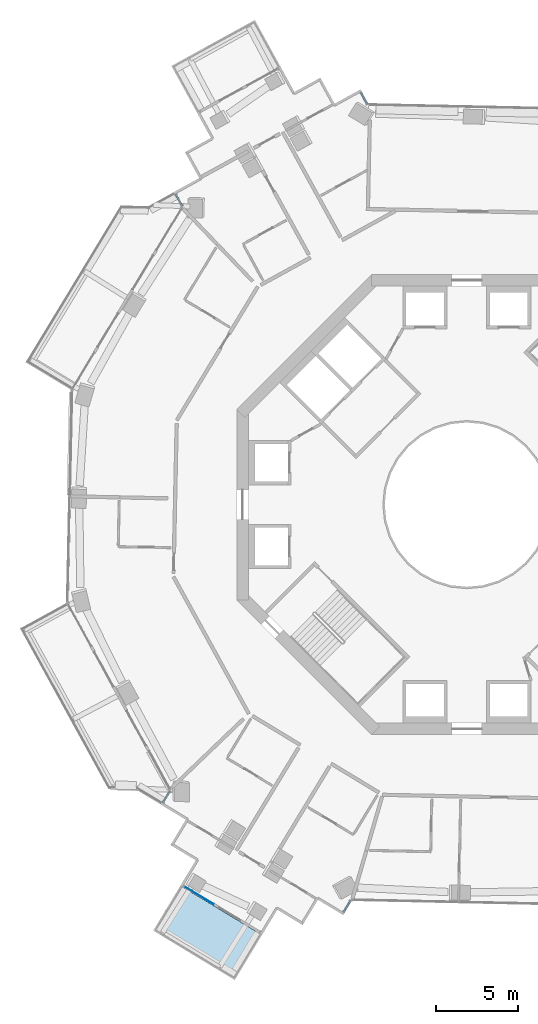
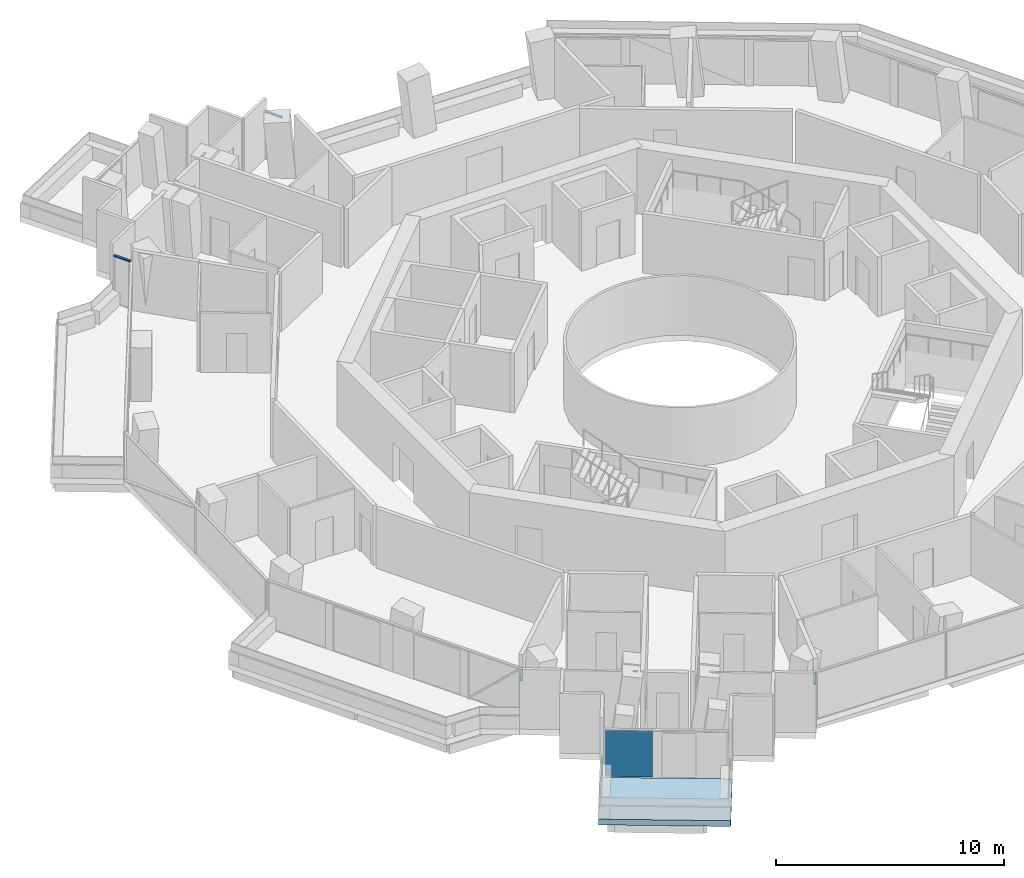
# One storey, part 10 of 22: 4 members, 1 plate, 1 slab, 5 elements without a shape of their own.
"""IFC4 building model written with IfcOpenShell, lengths in metres."""

import ifcopenshell
import ifcopenshell.guid

model = None  # the IFC model being written
_history = None  # IfcOwnerHistory: only IFC2X3 demands one
_inside = {}  # id of a spatial element -> (the spatial element, [elements in it])
_under = {}  # id of a project, library or spatial element -> (it, [spatial elements below it])
_declared = {}  # id of a project -> (the project, [libraries it declares])
_typed = {}  # id of a type object -> (the type object, [elements of that type])
_made_of = {}  # id of a material, layer set ... -> (it, [elements and type objects made of it])


def new_model(schema):
    """Start an empty IFC model of exactly this schema.

    Asked for "IFC4X3", IfcOpenShell would pick the latest addendum, in which some entities
    have other attributes; the version numbers below select the first issue.
    IFC2X3 requires an IfcOwnerHistory on every rooted entity: one is made here for all.
    """
    global model, _history
    if schema == "IFC4X3":
        model = ifcopenshell.file(schema_version=(4, 3, 0, 0))
    else:
        model = ifcopenshell.file(schema=schema)
    _inside.clear()
    _under.clear()
    _declared.clear()
    _typed.clear()
    _made_of.clear()
    _history = None
    if model.schema == "IFC2X3":
        org = make("IfcOrganization", Name="unknown")
        user = make(
            "IfcPersonAndOrganization",
            ThePerson=make("IfcPerson", FamilyName="unknown"),
            TheOrganization=org,
        )
        app = make(
            "IfcApplication",
            ApplicationDeveloper=org,
            Version="unknown",
            ApplicationFullName="unknown",
            ApplicationIdentifier="unknown",
        )
        _history = make(
            "IfcOwnerHistory",
            OwningUser=user,
            OwningApplication=app,
            ChangeAction="ADDED",
            CreationDate=0,
        )
    return model


def make(cls, **values):
    """One entity of the class cls with the attributes given. An attribute that is None is left unset."""
    return model.create_entity(
        cls, **{name: value for name, value in values.items() if value is not None}
    )


def rooted(cls, **values):
    """An entity with a GlobalId (a new one), such as an element, a storey or a relation."""
    return make(cls, GlobalId=ifcopenshell.guid.new(), OwnerHistory=_history, **values)


def si_unit(unit_type, name, prefix=None):
    """IfcSIUnit, for example si_unit("LENGTHUNIT", "METRE", prefix="MILLI")."""
    return make("IfcSIUnit", UnitType=unit_type, Prefix=prefix, Name=name)


def assignment(units):
    """IfcUnitAssignment: the units of a project."""
    return None if units is None else make("IfcUnitAssignment", Units=units)


def point(xyz):
    """IfcCartesianPoint."""
    return None if xyz is None else make("IfcCartesianPoint", Coordinates=xyz)


def direction(xyz):
    """IfcDirection."""
    return None if xyz is None else make("IfcDirection", DirectionRatios=xyz)


def frame(location, z_axis=None, x_axis=None):
    """IfcAxis2Placement3D, a coordinate frame: its origin and axes. An axis left out is left unset."""
    return make(
        "IfcAxis2Placement3D",
        Location=point(location),
        Axis=direction(z_axis),
        RefDirection=direction(x_axis),
    )


def frame_2d(location, x_axis=None):
    """IfcAxis2Placement2D, a coordinate frame in the plane: its origin and x axis."""
    return make(
        "IfcAxis2Placement2D", Location=point(location), RefDirection=direction(x_axis)
    )


def origin():
    """The frame at (0, 0, 0) with its axes left unset."""
    return frame((0.0, 0.0, 0.0))


def origin_2d():
    """The frame at (0, 0) in the plane with its x axis left unset."""
    return frame_2d((0.0, 0.0))


def place(relative_to, where):
    """IfcLocalPlacement: puts the frame where relative to a parent placement (None: the world)."""
    return make(
        "IfcLocalPlacement", PlacementRelTo=relative_to, RelativePlacement=where
    )


def context(
    kind, dimensions, precision=None, world=None, true_north=None, identifier=None
):
    """IfcGeometricRepresentationContext, for example the 3D "Model" context."""
    return make(
        "IfcGeometricRepresentationContext",
        ContextIdentifier=identifier,
        ContextType=kind,
        CoordinateSpaceDimension=dimensions,
        Precision=precision,
        WorldCoordinateSystem=world,
        TrueNorth=true_north,
    )


def subcontext(parent, identifier, kind, view, scale=None):
    """IfcGeometricRepresentationSubContext, for example "Body" below "Model"."""
    return make(
        "IfcGeometricRepresentationSubContext",
        ContextIdentifier=identifier,
        ContextType=kind,
        ParentContext=parent,
        TargetScale=scale,
        TargetView=view,
    )


def project(units=None, contexts=None):
    """IfcProject with its units and contexts."""
    return rooted(
        "IfcProject",
        Name="project",
        RepresentationContexts=contexts,
        UnitsInContext=assignment(units),
    )


def spatial(cls, under=None, at=None, **own):
    """A site, building, storey or space (cls), placed at a placement, below another one or the project."""
    s = rooted(cls, ObjectPlacement=at, **own)
    if under is not None:
        _under.setdefault(under.id(), (under, []))[1].append(s)
    return s


def polyline(points):
    """IfcPolyline through the points."""
    return make("IfcPolyline", Points=[point(p) for p in points])


def profile(cls, at=None, kind="AREA", **sizes):
    """A parametric profile (cls). Its sizes go by their IFC names, for example OverallWidth=200.0."""
    return make(cls, ProfileType=kind, Position=at, **sizes)


def rectangle(**sizes):
    """IfcRectangleProfileDef."""
    return profile("IfcRectangleProfileDef", **sizes)


def outline(outer, holes=None, kind="AREA"):
    """IfcArbitraryClosedProfileDef: a profile drawn as a closed curve; with holes, ...WithVoids."""
    if holes is None:
        return make("IfcArbitraryClosedProfileDef", ProfileType=kind, OuterCurve=outer)
    return make(
        "IfcArbitraryProfileDefWithVoids",
        ProfileType=kind,
        OuterCurve=outer,
        InnerCurves=holes,
    )


def extrude(swept, where, along, depth):
    """IfcExtrudedAreaSolid: the profile swept, set in the frame where, extruded along a direction by depth."""
    return make(
        "IfcExtrudedAreaSolid",
        SweptArea=swept,
        Position=where,
        ExtrudedDirection=direction(along),
        Depth=depth,
    )


def shape(context_of_items, identifier, shape_type, items):
    """IfcShapeRepresentation: the items that make up one representation, for example the "Body"."""
    return make(
        "IfcShapeRepresentation",
        ContextOfItems=context_of_items,
        RepresentationIdentifier=identifier,
        RepresentationType=shape_type,
        Items=items,
    )


def material(Name=None, Category=None):
    """IfcMaterial."""
    return make("IfcMaterial", Name=Name, Category=Category)


def layer(
    of_material, thickness, ventilated=None, Name=None, Category=None, Priority=None
):
    """IfcMaterialLayer: one layer of a wall or slab, of a material (None: an air gap)."""
    return make(
        "IfcMaterialLayer",
        Material=of_material,
        LayerThickness=thickness,
        IsVentilated=ventilated,
        Name=Name,
        Category=Category,
        Priority=Priority,
    )


def layer_set(layers, Name=None):
    """IfcMaterialLayerSet."""
    return make("IfcMaterialLayerSet", MaterialLayers=layers, LayerSetName=Name)


def material_profile(
    of_material, cross_section, Name=None, Category=None, Priority=None
):
    """IfcMaterialProfile: a cross section and its material."""
    return make(
        "IfcMaterialProfile",
        Name=Name,
        Material=of_material,
        Profile=cross_section,
        Priority=Priority,
        Category=Category,
    )


def profile_set(profiles, Name=None, composite=None):
    """IfcMaterialProfileSet."""
    return make(
        "IfcMaterialProfileSet",
        Name=Name,
        MaterialProfiles=profiles,
        CompositeProfile=composite,
    )


def made_of(thing, what):
    """Note that an element or type object is made of a material, layer set ...; save() writes the relation."""
    if what is not None:
        _made_of.setdefault(what.id(), (what, []))[1].append(thing)
    return thing


def type_object(cls, material=None, **own):
    """A type object (cls), such as IfcWallType, which elements share."""
    return made_of(rooted(cls, **own), material)


def element(
    cls,
    number,
    at=None,
    inside=None,
    cuts=None,
    type_object=None,
    material=None,
    context=None,
    identifier="Body",
    shape_type=None,
    held_by="IfcProductDefinitionShape",
    body=None,
    shapes=None,
    **own,
):
    """One element of the class cls, such as IfcWall. Its Tag is "e" and its number.

    at: its placement. inside: the storey or other place that contains it. cuts: it is an
    opening in that element (IfcRelVoidsElement). A single representation is given by context,
    identifier, shape_type and body (its items); several are given by shapes. held_by: the class
    of the entity that holds the representations. save() writes the other relations.
    """
    e = rooted(cls, Tag="e%d" % number, ObjectPlacement=at, **own)
    if body is not None:
        shapes = [shape(context, identifier, shape_type, body)]
    if shapes is not None:
        e.Representation = make(held_by, Representations=shapes)
    if inside is not None:
        _inside.setdefault(inside.id(), (inside, []))[1].append(e)
    if cuts is not None:
        rooted(
            "IfcRelVoidsElement", RelatingBuildingElement=cuts, RelatedOpeningElement=e
        )
    if type_object is not None:
        _typed.setdefault(type_object.id(), (type_object, []))[1].append(e)
    return made_of(e, material)


def aggregate(whole, parts):
    """IfcRelAggregates: a whole, such as a stair, and the parts it consists of."""
    return rooted("IfcRelAggregates", RelatingObject=whole, RelatedObjects=parts)


def save(model, path):
    """Write the relations noted so far, then the file.

    IfcRelAggregates (storeys below a building ...), IfcRelContainedInSpatialStructure (elements
    in a storey), IfcRelDefinesByType, IfcRelAssociatesMaterial and IfcRelDeclares: one each for
    every whole, place, type object, material and project.
    """
    for whole, parts in _under.values():
        aggregate(whole, parts)
    for where, things in _inside.values():
        rooted(
            "IfcRelContainedInSpatialStructure",
            RelatedElements=things,
            RelatingStructure=where,
        )
    for kind, things in _typed.values():
        rooted("IfcRelDefinesByType", RelatedObjects=things, RelatingType=kind)
    for what, things in _made_of.values():
        rooted("IfcRelAssociatesMaterial", RelatedObjects=things, RelatingMaterial=what)
    for by, libraries in _declared.values():
        rooted("IfcRelDeclares", RelatingContext=by, RelatedDefinitions=libraries)
    model.write(path)


model = new_model("IFC4")

# Units and contexts
model_context = context("Model", 3, precision=1e-05, world=origin(), true_north=direction((0.0, 1.0)))
body_context = subcontext(model_context, "Body", "Model", "MODEL_VIEW")
ifc_project = project(units=[si_unit("LENGTHUNIT", "METRE"), si_unit("AREAUNIT", "SQUARE_METRE"), si_unit("VOLUMEUNIT", "CUBIC_METRE"), si_unit("PLANEANGLEUNIT", "RADIAN"), si_unit("MASSUNIT", "GRAM", prefix="KILO")], contexts=[model_context])

# Site, building, storey
site_placement = place(None, origin())
site = spatial("IfcSite", under=ifc_project, at=site_placement, CompositionType="ELEMENT")
building_placement = place(site_placement, origin())
building = spatial("IfcBuilding", under=site, at=building_placement, Name="Verdalira Terraces Hotel", CompositionType="ELEMENT")
storey_placement = place(building_placement, frame((0.0, 0.0, 150.5)))
storey = spatial("IfcBuildingStorey", under=building, at=storey_placement, Name="L36", CompositionType="ELEMENT", Elevation=150.5)

# Curtain wall, member
ifc_material_1 = material(Name="Clear glass", Category="glass")
ifc_layer_1 = layer(ifc_material_1, 0.14990234375)
ifc_layer_set_1 = layer_set([ifc_layer_1], Name="CW2 curtain wall")
curtain_wall_type_1 = type_object("IfcCurtainWallType", Name="CW2 curtain wall", PredefinedType="NOTDEFINED", material=ifc_layer_set_1)
curtain_wall_1_placement = place(storey_placement, origin())
curtain_wall_1 = element("IfcCurtainWall", 1, at=curtain_wall_1_placement, inside=storey, type_object=curtain_wall_type_1, Name="CW2 curtain wall L36 edge 0", PredefinedType="NOTDEFINED")
ifc_material_2 = material(Name="Terracotta frame", Category="masonry")
ifc_material_profile = material_profile(ifc_material_2, rectangle(XDim=0.11499, YDim=0.064941, at=origin_2d()), Name="TR 65x115")
ifc_profile_set = profile_set([ifc_material_profile], Name="Terracotta frame")
member_type = type_object("IfcMemberType", Name="CW2 transom 65x115", PredefinedType="USERDEFINED", material=ifc_profile_set)
member_1_placement = place(storey_placement, frame((-6.056152, 24.353027, 2.507568), z_axis=(-0.481907725, 0.876221972, 0.0), x_axis=(-0.876221972, -0.481907725, 0.0)))
member_1 = element("IfcMember", 2, at=member_1_placement, type_object=member_type, Name="CW2 transom", ObjectType="TRANSOM", PredefinedType="USERDEFINED", context=body_context, shape_type="SweptSolid", body=[
    extrude(rectangle(XDim=0.11499, YDim=0.064941, at=origin_2d()), origin(), (0.0, 0.0, 1.0), 0.850098),
])
aggregate(curtain_wall_1, [member_1])

curtain_wall_2_placement = place(storey_placement, origin())
curtain_wall_2 = element("IfcCurtainWall", 3, at=curtain_wall_2_placement, inside=storey, type_object=curtain_wall_type_1, Name="CW2 curtain wall L36 edge 10", PredefinedType="NOTDEFINED")
member_2_placement = place(storey_placement, frame((-17.726318, 18.907227, 2.507568), z_axis=(0.481687184, -0.87634323, 0.0), x_axis=(0.87634323, 0.481687184, 0.0)))
member_2 = element("IfcMember", 4, at=member_2_placement, type_object=member_type, Name="CW2 transom", ObjectType="TRANSOM", PredefinedType="USERDEFINED", context=body_context, shape_type="SweptSolid", body=[
    extrude(rectangle(XDim=0.11499, YDim=0.064941, at=origin_2d()), origin(), (0.0, 0.0, 1.0), 0.850098),
])
aggregate(curtain_wall_2, [member_2])

curtain_wall_3_placement = place(storey_placement, origin())
curtain_wall_3 = element("IfcCurtainWall", 5, at=curtain_wall_3_placement, inside=storey, type_object=curtain_wall_type_1, Name="CW2 curtain wall L36 edge 14", PredefinedType="NOTDEFINED")
member_3_placement = place(storey_placement, frame((-18.062256, -17.421387, 2.507568), z_axis=(-0.517913324, -0.8554331, 0.0), x_axis=(0.8554331, -0.517913324, 0.0)))
member_3 = element("IfcMember", 6, at=member_3_placement, type_object=member_type, Name="CW2 transom", ObjectType="TRANSOM", PredefinedType="USERDEFINED", context=body_context, shape_type="SweptSolid", body=[
    extrude(rectangle(XDim=0.11499, YDim=0.064941, at=origin_2d()), origin(), (0.0, 0.0, 1.0), 0.849854),
])
aggregate(curtain_wall_3, [member_3])

curtain_wall_4_placement = place(storey_placement, origin())
curtain_wall_4 = element("IfcCurtainWall", 7, at=curtain_wall_4_placement, inside=storey, type_object=curtain_wall_type_1, Name="CW2 curtain wall L36 edge 24", PredefinedType="NOTDEFINED")
member_4_placement = place(storey_placement, frame((-7.510986, -24.805176, 2.507568), z_axis=(0.517913324, 0.8554331, 0.0), x_axis=(-0.8554331, 0.517913324, 0.0)))
member_4 = element("IfcMember", 8, at=member_4_placement, type_object=member_type, Name="CW2 transom", ObjectType="TRANSOM", PredefinedType="USERDEFINED", context=body_context, shape_type="SweptSolid", body=[
    extrude(rectangle(XDim=0.11499, YDim=0.064941, at=origin_2d()), origin(), (0.0, 0.0, 1.0), 0.849854),
])
aggregate(curtain_wall_4, [member_4])

# Slab
ifc_material_3 = material(Name="Precast concrete C40/50", Category="concrete")
ifc_layer_2 = layer(ifc_material_3, 0.31005859375)
ifc_layer_set_2 = layer_set([ifc_layer_2], Name="Balcony deck 310")
slab_type = type_object("IfcSlabType", Name="Balcony deck 310", PredefinedType="FLOOR", material=ifc_layer_set_2)
slab_placement = place(storey_placement, frame((0.0, 0.0, -0.310059)))
element("IfcSlab", 9, at=slab_placement, inside=storey, type_object=slab_type, Name="Balcony deck", PredefinedType="FLOOR", context=body_context, shape_type="SweptSolid", body=[
    extrude(outline(polyline([(-14.126465, -28.923828), (-12.46875, -26.186768), (-17.429932, -23.182129), (-19.087646, -25.919189), (-14.126465, -28.923828)])), origin(), (0.0, 0.0, 1.0), 0.310059),
])

# Curtain wall, plate
ifc_material_4 = material(Name="Clear glass", Category="glass")
ifc_layer_3 = layer(ifc_material_4, 0.14990234375)
ifc_layer_set_3 = layer_set([ifc_layer_3], Name="CW3 curtain wall")
curtain_wall_type_2 = type_object("IfcCurtainWallType", Name="CW3 curtain wall", PredefinedType="NOTDEFINED", material=ifc_layer_set_3)
curtain_wall_5_placement = place(storey_placement, origin())
curtain_wall_5 = element("IfcCurtainWall", 10, at=curtain_wall_5_placement, inside=storey, type_object=curtain_wall_type_2, Name="CW3 curtain wall L36 edge 19", PredefinedType="NOTDEFINED")
ifc_material_5 = material(Name="Clear glass", Category="glass")
ifc_layer_4 = layer(ifc_material_5, 0.035888671875)
ifc_layer_set_4 = layer_set([ifc_layer_4], Name="CW3 glass unit 36")
plate_type = type_object("IfcPlateType", Name="CW3 glass unit 36", PredefinedType="CURTAIN_PANEL", material=ifc_layer_set_4)
plate_placement = place(storey_placement, frame((-16.304688, -23.775879, 0.0), z_axis=(0.0, 0.0, 1.0), x_axis=(0.85536426, -0.518027009, 0.0)))
plate = element("IfcPlate", 11, at=plate_placement, type_object=plate_type, Name="CW3 glass unit", PredefinedType="CURTAIN_PANEL", context=body_context, shape_type="SweptSolid", body=[
    extrude(rectangle(XDim=2.080078, YDim=0.035889, at=origin_2d()), origin(), (0.0, 0.0, 1.0), 2.475098),
])
aggregate(curtain_wall_5, [plate])

save(model, "model.ifc")
